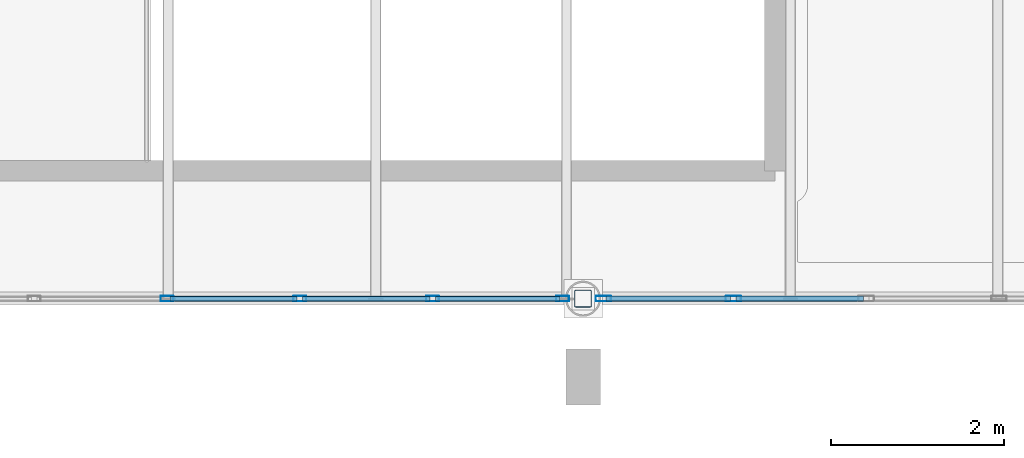
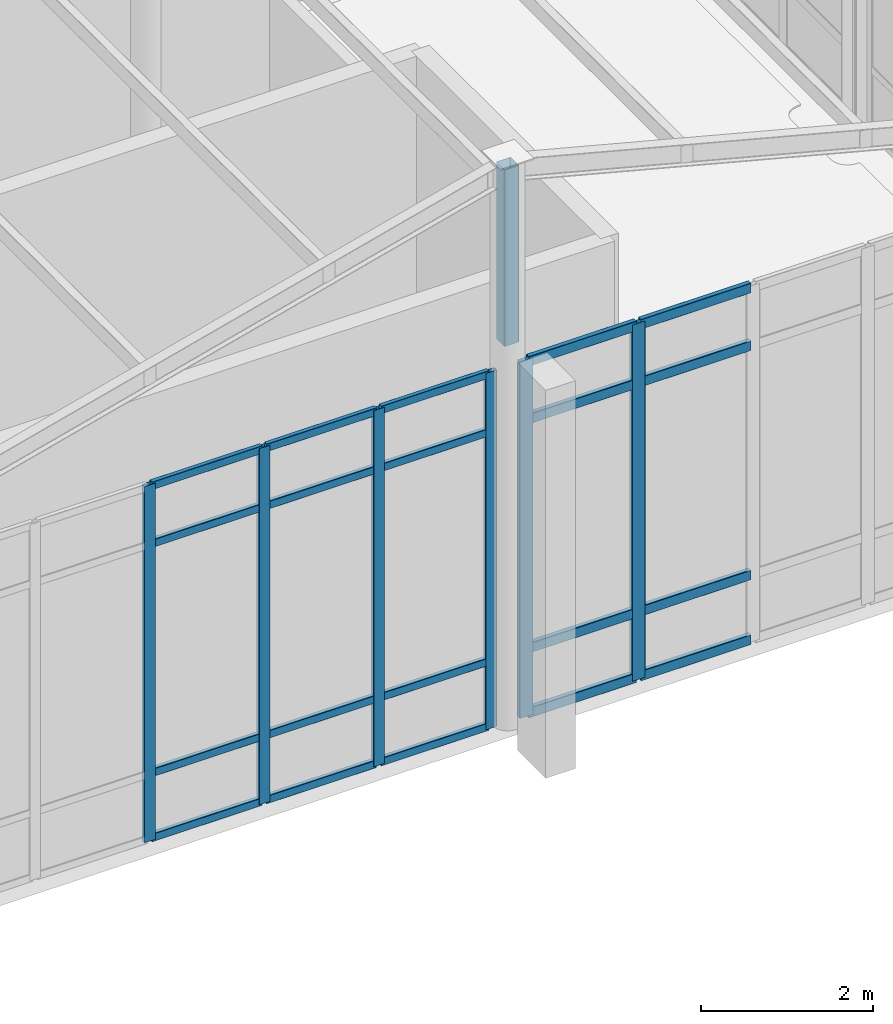
# One storey, part 11 of 121: 27 members, 2 elements without a shape of their own.
"""IFC4 building model written with IfcOpenShell, lengths in metres."""

from ifc_helpers import new_model, si_unit, direction, frame, origin, origin_2d, place, context, subcontext, project, spatial, hollow_rectangle, extrude, material, material_profile, profile_set, type_object, element, aggregate, save


model = new_model("IFC4")

# Units and contexts
model_context = context("Model", 3, precision=1e-05, world=origin(), true_north=direction((0.0, 1.0)))
body_context = subcontext(model_context, "Body", "Model", "MODEL_VIEW")
ifc_project = project(units=[si_unit("LENGTHUNIT", "METRE"), si_unit("AREAUNIT", "SQUARE_METRE"), si_unit("VOLUMEUNIT", "CUBIC_METRE"), si_unit("PLANEANGLEUNIT", "RADIAN"), si_unit("MASSUNIT", "GRAM", prefix="KILO")], contexts=[model_context])

# Site, building, storey
site_placement = place(None, origin())
site = spatial("IfcSite", under=ifc_project, at=site_placement, CompositionType="ELEMENT")
building_placement = place(site_placement, origin())
building = spatial("IfcBuilding", under=site, at=building_placement, Name="Canglan Escarpment Cableway Terminal", CompositionType="ELEMENT")
storey_placement = place(building_placement, frame((0.0, 0.0, 24.60009765625)))
storey = spatial("IfcBuildingStorey", under=building, at=storey_placement, Name="L05", CompositionType="ELEMENT", Elevation=24.60009765625)

# Curtain wall, members
ifc_material_1 = material(Name="Anodized bronze aluminium and Low-E double glazing", Category="aluminium")
curtain_wall_type = type_object("IfcCurtainWallType", Name="CW-BAY-9225x5050", PredefinedType="NOTDEFINED", material=ifc_material_1)
curtain_wall_1_placement = place(storey_placement, origin())
curtain_wall_1 = element("IfcCurtainWall", 1, at=curtain_wall_1_placement, inside=storey, type_object=curtain_wall_type, Name="Classical bay-between-piers glazed curtain wall CW-37", PredefinedType="NOTDEFINED")
ifc_material_2 = material(Name="Thermally broken anodized aluminium 6063-T6", Category="aluminium")
ifc_material_profile_1 = material_profile(ifc_material_2, hollow_rectangle(XDim=0.06494140625, YDim=0.14990234375, WallThickness=0.00341796875, InnerFilletRadius=0.00341796875, OuterFilletRadius=0.007080078125, at=origin_2d()), Name="ALU-MULL 65x150x3.5")
ifc_profile_set_1 = profile_set([ifc_material_profile_1], Name="Thermally broken anodized aluminium 6063-T6")
member_type_1 = type_object("IfcMemberType", Name="CWM-02", PredefinedType="MULLION", material=ifc_profile_set_1)
member_1_placement = place(storey_placement, frame((151.98583984375, 8.0, 0.0), z_axis=(0.0, 0.0, 1.0), x_axis=(0.0, 1.0, 0.0)))
member_1 = element("IfcMember", 2, at=member_1_placement, type_object=member_type_1, Name="CW-37 mullion 4", PredefinedType="MULLION", context=body_context, shape_type="SweptSolid", body=[
    extrude(hollow_rectangle(XDim=0.06494140625, YDim=0.14990234375, WallThickness=0.00341796875, InnerFilletRadius=0.00341796875, OuterFilletRadius=0.007080078125, at=origin_2d()), origin(), (0.0, 0.0, 1.0), 5.0498046875),
])
member_2_placement = place(storey_placement, frame((153.52294921875, 8.0, 0.0), z_axis=(0.0, 0.0, 1.0), x_axis=(0.0, 1.0, 0.0)))
member_2 = element("IfcMember", 3, at=member_2_placement, type_object=member_type_1, Name="CW-37 mullion 5", PredefinedType="MULLION", context=body_context, shape_type="SweptSolid", body=[
    extrude(hollow_rectangle(XDim=0.06494140625, YDim=0.14990234375, WallThickness=0.00341796875, InnerFilletRadius=0.00341796875, OuterFilletRadius=0.007080078125, at=origin_2d()), origin(), (0.0, 0.0, 1.0), 5.0498046875),
])
member_3_placement = place(storey_placement, frame((155.059814453125, 8.0, 0.0), z_axis=(0.0, 0.0, 1.0), x_axis=(0.0, 1.0, 0.0)))
member_3 = element("IfcMember", 4, at=member_3_placement, type_object=member_type_1, Name="CW-37 mullion 6", PredefinedType="MULLION", context=body_context, shape_type="SweptSolid", body=[
    extrude(hollow_rectangle(XDim=0.06494140625, YDim=0.14990234375, WallThickness=0.00341796875, InnerFilletRadius=0.00341796875, OuterFilletRadius=0.007080078125, at=origin_2d()), origin(), (0.0, 0.0, 1.0), 5.0498046875),
])
member_4_placement = place(storey_placement, frame((156.564208984375, 8.0, 0.0), z_axis=(0.0, 0.0, 1.0), x_axis=(0.0, 1.0, 0.0)))
member_4 = element("IfcMember", 5, at=member_4_placement, type_object=member_type_1, Name="CW-37 mullion 7", PredefinedType="MULLION", context=body_context, shape_type="SweptSolid", body=[
    extrude(hollow_rectangle(XDim=0.06494140625, YDim=0.14990234375, WallThickness=0.00341796875, InnerFilletRadius=0.00341796875, OuterFilletRadius=0.007080078125, at=origin_2d()), origin(), (0.0, 0.0, 1.0), 5.0498046875),
])

curtain_wall_2_placement = place(storey_placement, origin())
curtain_wall_2 = element("IfcCurtainWall", 6, at=curtain_wall_2_placement, inside=storey, type_object=curtain_wall_type, Name="Classical bay-between-piers glazed curtain wall CW-37", PredefinedType="NOTDEFINED")
ifc_material_profile_2 = material_profile(ifc_material_2, hollow_rectangle(XDim=0.06494140625, YDim=0.179931640625, WallThickness=0.00390625, InnerFilletRadius=0.00390625, OuterFilletRadius=0.008056640625, at=origin_2d()), Name="ALU-MULL 65x180x4")
ifc_profile_set_2 = profile_set([ifc_material_profile_2], Name="Thermally broken anodized aluminium 6063-T6")
member_type_2 = type_object("IfcMemberType", Name="CWM-03", PredefinedType="MULLION", material=ifc_profile_set_2)
member_5_placement = place(storey_placement, frame((157.03564453125, 8.0, 0.0), z_axis=(0.0, 0.0, 1.0), x_axis=(0.0, 1.0, 0.0)))
member_5 = element("IfcMember", 7, at=member_5_placement, type_object=member_type_2, Name="CW-37 mullion 1", PredefinedType="MULLION", context=body_context, shape_type="SweptSolid", body=[
    extrude(hollow_rectangle(XDim=0.06494140625, YDim=0.179931640625, WallThickness=0.00390625, InnerFilletRadius=0.00390625, OuterFilletRadius=0.008056640625, at=origin_2d()), origin(), (0.0, 0.0, 1.0), 5.0498046875),
])
member_6_placement = place(storey_placement, frame((158.540283203125, 8.0, 0.0), z_axis=(0.0, 0.0, 1.0), x_axis=(0.0, 1.0, 0.0)))
member_6 = element("IfcMember", 8, at=member_6_placement, type_object=member_type_2, Name="CW-37 mullion 2", PredefinedType="MULLION", context=body_context, shape_type="SweptSolid", body=[
    extrude(hollow_rectangle(XDim=0.06494140625, YDim=0.179931640625, WallThickness=0.00390625, InnerFilletRadius=0.00390625, OuterFilletRadius=0.008056640625, at=origin_2d()), origin(), (0.0, 0.0, 1.0), 5.0498046875),
])

# Member
ifc_material_profile_3 = material_profile(ifc_material_2, hollow_rectangle(XDim=0.06005859375, YDim=0.110107421875, WallThickness=0.0029296875, InnerFilletRadius=0.0029296875, OuterFilletRadius=0.006103515625, at=origin_2d()), Name="ALU-TRAN 60x110x3")
ifc_profile_set_3 = profile_set([ifc_material_profile_3], Name="Thermally broken anodized aluminium 6063-T6")
member_type_3 = type_object("IfcMemberType", Name="CWT-02", PredefinedType="USERDEFINED", material=ifc_profile_set_3)
member_7_placement = place(storey_placement, frame((152.018310546875, 8.0, 0.02978515625), z_axis=(1.0, 0.0, 0.0), x_axis=(0.0, 1.0, 0.0)))
member_7 = element("IfcMember", 9, at=member_7_placement, type_object=member_type_3, Name="CW-37 transom 4.1", ObjectType="TRANSOM", PredefinedType="USERDEFINED", context=body_context, shape_type="SweptSolid", body=[
    extrude(hollow_rectangle(XDim=0.06005859375, YDim=0.110107421875, WallThickness=0.0029296875, InnerFilletRadius=0.0029296875, OuterFilletRadius=0.006103515625, at=origin_2d()), origin(), (0.0, 0.0, 1.0), 1.47216796875),
])

member_8_placement = place(storey_placement, frame((152.018310546875, 8.0, 0.949951171875), z_axis=(1.0, 0.0, 0.0), x_axis=(0.0, 1.0, 0.0)))
member_8 = element("IfcMember", 10, at=member_8_placement, type_object=member_type_3, Name="CW-37 transom 4.2", ObjectType="TRANSOM", PredefinedType="USERDEFINED", context=body_context, shape_type="SweptSolid", body=[
    extrude(hollow_rectangle(XDim=0.06005859375, YDim=0.110107421875, WallThickness=0.0029296875, InnerFilletRadius=0.0029296875, OuterFilletRadius=0.006103515625, at=origin_2d()), origin(), (0.0, 0.0, 1.0), 1.47216796875),
])

member_9_placement = place(storey_placement, frame((152.018310546875, 8.0, 4.199951171875), z_axis=(1.0, 0.0, 0.0), x_axis=(0.0, 1.0, 0.0)))
member_9 = element("IfcMember", 11, at=member_9_placement, type_object=member_type_3, Name="CW-37 transom 4.3", ObjectType="TRANSOM", PredefinedType="USERDEFINED", context=body_context, shape_type="SweptSolid", body=[
    extrude(hollow_rectangle(XDim=0.06005859375, YDim=0.110107421875, WallThickness=0.0029296875, InnerFilletRadius=0.0029296875, OuterFilletRadius=0.006103515625, at=origin_2d()), origin(), (0.0, 0.0, 1.0), 1.47216796875),
])

member_10_placement = place(storey_placement, frame((152.018310546875, 8.0, 5.02001953125), z_axis=(1.0, 0.0, 0.0), x_axis=(0.0, 1.0, 0.0)))
member_10 = element("IfcMember", 12, at=member_10_placement, type_object=member_type_3, Name="CW-37 transom 4.4", ObjectType="TRANSOM", PredefinedType="USERDEFINED", context=body_context, shape_type="SweptSolid", body=[
    extrude(hollow_rectangle(XDim=0.06005859375, YDim=0.110107421875, WallThickness=0.0029296875, InnerFilletRadius=0.0029296875, OuterFilletRadius=0.006103515625, at=origin_2d()), origin(), (0.0, 0.0, 1.0), 1.47216796875),
])

member_11_placement = place(storey_placement, frame((153.555419921875, 8.0, 0.02978515625), z_axis=(1.0, 0.0, 0.0), x_axis=(0.0, 1.0, 0.0)))
member_11 = element("IfcMember", 13, at=member_11_placement, type_object=member_type_3, Name="CW-37 transom 5.1", ObjectType="TRANSOM", PredefinedType="USERDEFINED", context=body_context, shape_type="SweptSolid", body=[
    extrude(hollow_rectangle(XDim=0.06005859375, YDim=0.110107421875, WallThickness=0.0029296875, InnerFilletRadius=0.0029296875, OuterFilletRadius=0.006103515625, at=origin_2d()), origin(), (0.0, 0.0, 1.0), 1.471923828125),
])

member_12_placement = place(storey_placement, frame((153.555419921875, 8.0, 0.949951171875), z_axis=(1.0, 0.0, 0.0), x_axis=(0.0, 1.0, 0.0)))
member_12 = element("IfcMember", 14, at=member_12_placement, type_object=member_type_3, Name="CW-37 transom 5.2", ObjectType="TRANSOM", PredefinedType="USERDEFINED", context=body_context, shape_type="SweptSolid", body=[
    extrude(hollow_rectangle(XDim=0.06005859375, YDim=0.110107421875, WallThickness=0.0029296875, InnerFilletRadius=0.0029296875, OuterFilletRadius=0.006103515625, at=origin_2d()), origin(), (0.0, 0.0, 1.0), 1.471923828125),
])

member_13_placement = place(storey_placement, frame((153.555419921875, 8.0, 4.199951171875), z_axis=(1.0, 0.0, 0.0), x_axis=(0.0, 1.0, 0.0)))
member_13 = element("IfcMember", 15, at=member_13_placement, type_object=member_type_3, Name="CW-37 transom 5.3", ObjectType="TRANSOM", PredefinedType="USERDEFINED", context=body_context, shape_type="SweptSolid", body=[
    extrude(hollow_rectangle(XDim=0.06005859375, YDim=0.110107421875, WallThickness=0.0029296875, InnerFilletRadius=0.0029296875, OuterFilletRadius=0.006103515625, at=origin_2d()), origin(), (0.0, 0.0, 1.0), 1.471923828125),
])

member_14_placement = place(storey_placement, frame((153.555419921875, 8.0, 5.02001953125), z_axis=(1.0, 0.0, 0.0), x_axis=(0.0, 1.0, 0.0)))
member_14 = element("IfcMember", 16, at=member_14_placement, type_object=member_type_3, Name="CW-37 transom 5.4", ObjectType="TRANSOM", PredefinedType="USERDEFINED", context=body_context, shape_type="SweptSolid", body=[
    extrude(hollow_rectangle(XDim=0.06005859375, YDim=0.110107421875, WallThickness=0.0029296875, InnerFilletRadius=0.0029296875, OuterFilletRadius=0.006103515625, at=origin_2d()), origin(), (0.0, 0.0, 1.0), 1.471923828125),
])

member_15_placement = place(storey_placement, frame((155.09228515625, 8.0, 0.02978515625), z_axis=(1.0, 0.0, 0.0), x_axis=(0.0, 1.0, 0.0)))
member_15 = element("IfcMember", 17, at=member_15_placement, type_object=member_type_3, Name="CW-37 transom 6.1", ObjectType="TRANSOM", PredefinedType="USERDEFINED", context=body_context, shape_type="SweptSolid", body=[
    extrude(hollow_rectangle(XDim=0.06005859375, YDim=0.110107421875, WallThickness=0.0029296875, InnerFilletRadius=0.0029296875, OuterFilletRadius=0.006103515625, at=origin_2d()), origin(), (0.0, 0.0, 1.0), 1.439453125),
])

member_16_placement = place(storey_placement, frame((155.09228515625, 8.0, 0.949951171875), z_axis=(1.0, 0.0, 0.0), x_axis=(0.0, 1.0, 0.0)))
member_16 = element("IfcMember", 18, at=member_16_placement, type_object=member_type_3, Name="CW-37 transom 6.2", ObjectType="TRANSOM", PredefinedType="USERDEFINED", context=body_context, shape_type="SweptSolid", body=[
    extrude(hollow_rectangle(XDim=0.06005859375, YDim=0.110107421875, WallThickness=0.0029296875, InnerFilletRadius=0.0029296875, OuterFilletRadius=0.006103515625, at=origin_2d()), origin(), (0.0, 0.0, 1.0), 1.439453125),
])

member_17_placement = place(storey_placement, frame((155.09228515625, 8.0, 4.199951171875), z_axis=(1.0, 0.0, 0.0), x_axis=(0.0, 1.0, 0.0)))
member_17 = element("IfcMember", 19, at=member_17_placement, type_object=member_type_3, Name="CW-37 transom 6.3", ObjectType="TRANSOM", PredefinedType="USERDEFINED", context=body_context, shape_type="SweptSolid", body=[
    extrude(hollow_rectangle(XDim=0.06005859375, YDim=0.110107421875, WallThickness=0.0029296875, InnerFilletRadius=0.0029296875, OuterFilletRadius=0.006103515625, at=origin_2d()), origin(), (0.0, 0.0, 1.0), 1.439453125),
])

member_18_placement = place(storey_placement, frame((155.09228515625, 8.0, 5.02001953125), z_axis=(1.0, 0.0, 0.0), x_axis=(0.0, 1.0, 0.0)))
member_18 = element("IfcMember", 20, at=member_18_placement, type_object=member_type_3, Name="CW-37 transom 6.4", ObjectType="TRANSOM", PredefinedType="USERDEFINED", context=body_context, shape_type="SweptSolid", body=[
    extrude(hollow_rectangle(XDim=0.06005859375, YDim=0.110107421875, WallThickness=0.0029296875, InnerFilletRadius=0.0029296875, OuterFilletRadius=0.006103515625, at=origin_2d()), origin(), (0.0, 0.0, 1.0), 1.439453125),
])

aggregate(curtain_wall_1, [member_1, member_2, member_3, member_4, member_7, member_8, member_9, member_10, member_11, member_12, member_13, member_14, member_15, member_16, member_17, member_18])

ifc_material_profile_4 = material_profile(ifc_material_2, hollow_rectangle(XDim=0.06494140625, YDim=0.139892578125, WallThickness=0.00341796875, InnerFilletRadius=0.00341796875, OuterFilletRadius=0.007080078125, at=origin_2d()), Name="ALU-TRAN 65x140x3.5")
ifc_profile_set_4 = profile_set([ifc_material_profile_4], Name="Thermally broken anodized aluminium 6063-T6")
member_type_4 = type_object("IfcMemberType", Name="CWT-03", PredefinedType="USERDEFINED", material=ifc_profile_set_4)
member_19_placement = place(storey_placement, frame((157.068115234375, 8.0, 0.032470703125), z_axis=(1.0, 0.0, 0.0), x_axis=(0.0, 1.0, 0.0)))
member_19 = element("IfcMember", 21, at=member_19_placement, type_object=member_type_4, Name="CW-37 transom 1.1", ObjectType="TRANSOM", PredefinedType="USERDEFINED", context=body_context, shape_type="SweptSolid", body=[
    extrude(hollow_rectangle(XDim=0.06494140625, YDim=0.139892578125, WallThickness=0.00341796875, InnerFilletRadius=0.00341796875, OuterFilletRadius=0.007080078125, at=origin_2d()), origin(), (0.0, 0.0, 1.0), 1.439453125),
])

member_20_placement = place(storey_placement, frame((157.068115234375, 8.0, 0.949951171875), z_axis=(1.0, 0.0, 0.0), x_axis=(0.0, 1.0, 0.0)))
member_20 = element("IfcMember", 22, at=member_20_placement, type_object=member_type_4, Name="CW-37 transom 1.2", ObjectType="TRANSOM", PredefinedType="USERDEFINED", context=body_context, shape_type="SweptSolid", body=[
    extrude(hollow_rectangle(XDim=0.06494140625, YDim=0.139892578125, WallThickness=0.00341796875, InnerFilletRadius=0.00341796875, OuterFilletRadius=0.007080078125, at=origin_2d()), origin(), (0.0, 0.0, 1.0), 1.439453125),
])

member_21_placement = place(storey_placement, frame((157.068115234375, 8.0, 4.199951171875), z_axis=(1.0, 0.0, 0.0), x_axis=(0.0, 1.0, 0.0)))
member_21 = element("IfcMember", 23, at=member_21_placement, type_object=member_type_4, Name="CW-37 transom 1.3", ObjectType="TRANSOM", PredefinedType="USERDEFINED", context=body_context, shape_type="SweptSolid", body=[
    extrude(hollow_rectangle(XDim=0.06494140625, YDim=0.139892578125, WallThickness=0.00341796875, InnerFilletRadius=0.00341796875, OuterFilletRadius=0.007080078125, at=origin_2d()), origin(), (0.0, 0.0, 1.0), 1.439453125),
])

member_22_placement = place(storey_placement, frame((157.068115234375, 8.0, 5.017333984375), z_axis=(1.0, 0.0, 0.0), x_axis=(0.0, 1.0, 0.0)))
member_22 = element("IfcMember", 24, at=member_22_placement, type_object=member_type_4, Name="CW-37 transom 1.4", ObjectType="TRANSOM", PredefinedType="USERDEFINED", context=body_context, shape_type="SweptSolid", body=[
    extrude(hollow_rectangle(XDim=0.06494140625, YDim=0.139892578125, WallThickness=0.00341796875, InnerFilletRadius=0.00341796875, OuterFilletRadius=0.007080078125, at=origin_2d()), origin(), (0.0, 0.0, 1.0), 1.439453125),
])

member_23_placement = place(storey_placement, frame((158.57275390625, 8.0, 0.032470703125), z_axis=(1.0, 0.0, 0.0), x_axis=(0.0, 1.0, 0.0)))
member_23 = element("IfcMember", 25, at=member_23_placement, type_object=member_type_4, Name="CW-37 transom 2.1", ObjectType="TRANSOM", PredefinedType="USERDEFINED", context=body_context, shape_type="SweptSolid", body=[
    extrude(hollow_rectangle(XDim=0.06494140625, YDim=0.139892578125, WallThickness=0.00341796875, InnerFilletRadius=0.00341796875, OuterFilletRadius=0.007080078125, at=origin_2d()), origin(), (0.0, 0.0, 1.0), 1.471923828125),
])

member_24_placement = place(storey_placement, frame((158.57275390625, 8.0, 0.949951171875), z_axis=(1.0, 0.0, 0.0), x_axis=(0.0, 1.0, 0.0)))
member_24 = element("IfcMember", 26, at=member_24_placement, type_object=member_type_4, Name="CW-37 transom 2.2", ObjectType="TRANSOM", PredefinedType="USERDEFINED", context=body_context, shape_type="SweptSolid", body=[
    extrude(hollow_rectangle(XDim=0.06494140625, YDim=0.139892578125, WallThickness=0.00341796875, InnerFilletRadius=0.00341796875, OuterFilletRadius=0.007080078125, at=origin_2d()), origin(), (0.0, 0.0, 1.0), 1.471923828125),
])

member_25_placement = place(storey_placement, frame((158.57275390625, 8.0, 4.199951171875), z_axis=(1.0, 0.0, 0.0), x_axis=(0.0, 1.0, 0.0)))
member_25 = element("IfcMember", 27, at=member_25_placement, type_object=member_type_4, Name="CW-37 transom 2.3", ObjectType="TRANSOM", PredefinedType="USERDEFINED", context=body_context, shape_type="SweptSolid", body=[
    extrude(hollow_rectangle(XDim=0.06494140625, YDim=0.139892578125, WallThickness=0.00341796875, InnerFilletRadius=0.00341796875, OuterFilletRadius=0.007080078125, at=origin_2d()), origin(), (0.0, 0.0, 1.0), 1.471923828125),
])

member_26_placement = place(storey_placement, frame((158.57275390625, 8.0, 5.017333984375), z_axis=(1.0, 0.0, 0.0), x_axis=(0.0, 1.0, 0.0)))
member_26 = element("IfcMember", 28, at=member_26_placement, type_object=member_type_4, Name="CW-37 transom 2.4", ObjectType="TRANSOM", PredefinedType="USERDEFINED", context=body_context, shape_type="SweptSolid", body=[
    extrude(hollow_rectangle(XDim=0.06494140625, YDim=0.139892578125, WallThickness=0.00341796875, InnerFilletRadius=0.00341796875, OuterFilletRadius=0.007080078125, at=origin_2d()), origin(), (0.0, 0.0, 1.0), 1.471923828125),
])

aggregate(curtain_wall_2, [member_5, member_6, member_19, member_20, member_21, member_22, member_23, member_24, member_25, member_26])

ifc_material_3 = material(Name="Steel Q355B", Category="steel")
ifc_material_profile_5 = material_profile(ifc_material_3, hollow_rectangle(XDim=0.199951171875, YDim=0.199951171875, WallThickness=0.008056640625, InnerFilletRadius=0.008056640625, OuterFilletRadius=0.01611328125, at=origin_2d()), Name="SHS 200x200x8")
ifc_profile_set_5 = profile_set([ifc_material_profile_5], Name="Steel Q355B")
member_type_5 = type_object("IfcMemberType", Name="MB-PRATT-WEB-SHS200", PredefinedType="BRACE", material=ifc_profile_set_5)
member_27_placement = place(storey_placement, frame((156.800048828125, 8.0, 5.39990234375), z_axis=(0.0, 0.0, 1.0), x_axis=(1.0, 0.0, 0.0)))
element("IfcMember", 29, at=member_27_placement, inside=storey, type_object=member_type_5, Name="Pedimented pavilion ROOF TRUSS strut PT-WB1", PredefinedType="BRACE", context=body_context, shape_type="SweptSolid", body=[
    extrude(hollow_rectangle(XDim=0.199951171875, YDim=0.199951171875, WallThickness=0.008056640625, InnerFilletRadius=0.008056640625, OuterFilletRadius=0.01611328125, at=origin_2d()), origin(), (0.0, 0.0, 1.0), 2.5),
])

save(model, "model.ifc")
